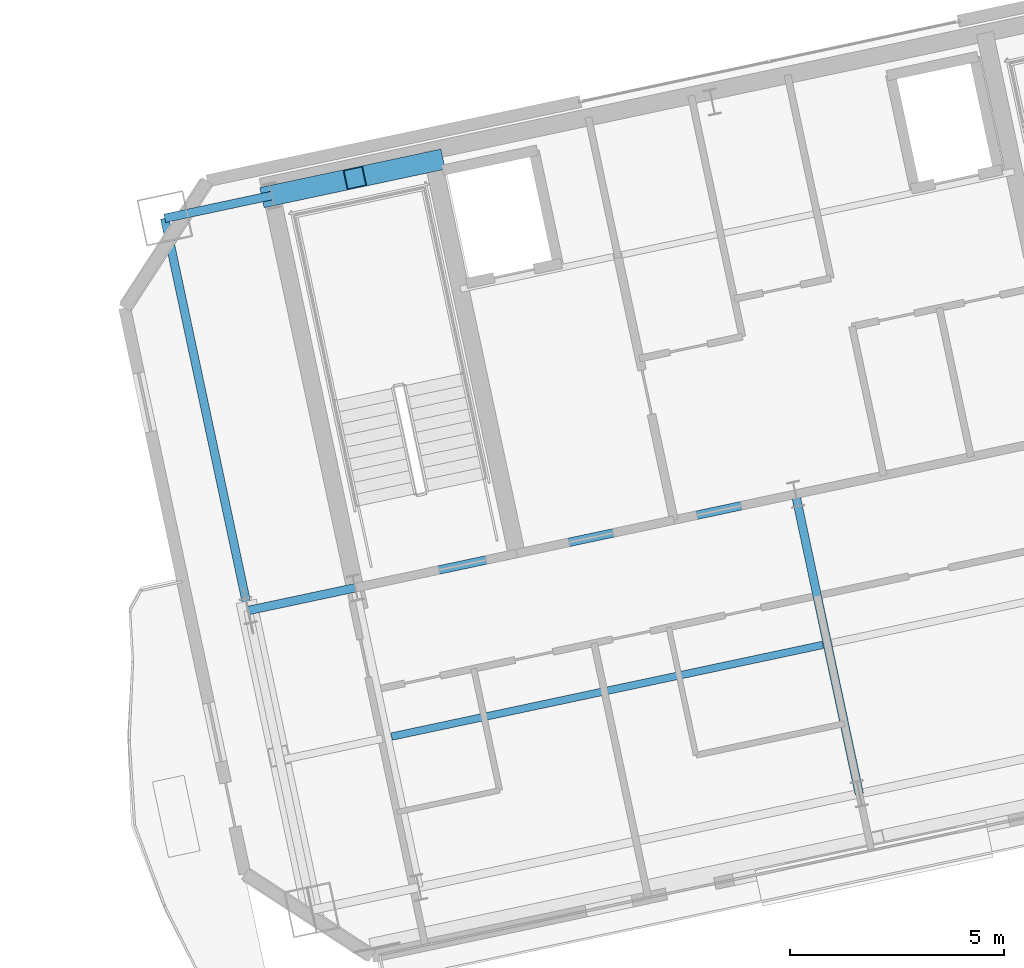
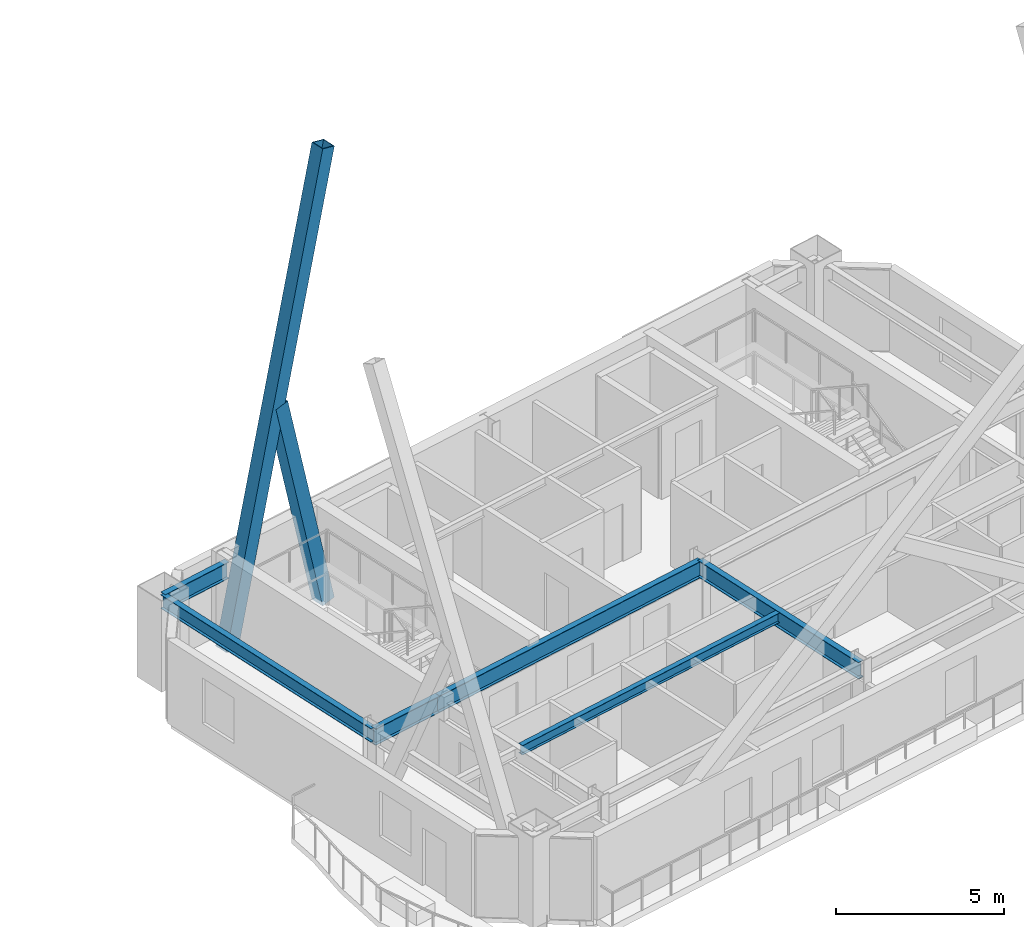
# One storey, part 4 of 19: 6 beams, 2 members.
"""IFC4 building model written with IfcOpenShell, lengths in metres."""

from ifc_helpers import new_model, si_unit, direction, frame, origin, origin_2d, place, context, subcontext, project, spatial, hollow_rectangle, i_section, extrude, material, material_profile, profile_set, type_object, element, save


model = new_model("IFC4")

# Units and contexts
model_context = context("Model", 3, precision=1e-05, world=origin(), true_north=direction((0.0, 1.0)))
body_context = subcontext(model_context, "Body", "Model", "MODEL_VIEW")
ifc_project = project(units=[si_unit("LENGTHUNIT", "METRE"), si_unit("AREAUNIT", "SQUARE_METRE"), si_unit("VOLUMEUNIT", "CUBIC_METRE"), si_unit("PLANEANGLEUNIT", "RADIAN"), si_unit("MASSUNIT", "GRAM", prefix="KILO")], contexts=[model_context])

# Site, building, storey
site_placement = place(None, origin())
site = spatial("IfcSite", under=ifc_project, at=site_placement, CompositionType="ELEMENT")
building_placement = place(site_placement, origin())
building = spatial("IfcBuilding", under=site, at=building_placement, Name="Haevon Station Towers", CompositionType="ELEMENT")
storey_placement = place(building_placement, frame((0.0, 0.0, 218.699951171875)))
storey = spatial("IfcBuildingStorey", under=building, at=storey_placement, Name="L60", CompositionType="ELEMENT", Elevation=218.699951171875)

# Beams
ifc_material_1 = material(Name="Steel S355", Category="steel")
ifc_material_profile_1 = material_profile(ifc_material_1, i_section(OverallWidth=0.199951171875, OverallDepth=0.60009765625, WebThickness=0.010986328125, FlangeThickness=0.01708984375, at=origin_2d()), Name="H-600x200x11x17")
ifc_profile_set_1 = profile_set([ifc_material_profile_1], Name="Steel S355")
beam_type_1 = type_object("IfcBeamType", Name="BM-G600", PredefinedType="BEAM", material=ifc_profile_set_1)
beam_1_placement = place(storey_placement, frame((96.258056640625, 36.912353515625, 2.75), z_axis=(0.978161040728, 0.207848450565, 0.0), x_axis=(-0.207848450565, 0.978161040728, 0.0)))
element("IfcBeam", 1, at=beam_1_placement, inside=storey, type_object=beam_type_1, Name="BM-T2U-L60-02-01", PredefinedType="BEAM", context=body_context, shape_type="SweptSolid", body=[
    extrude(i_section(OverallWidth=0.199951171875, OverallDepth=0.60009765625, WebThickness=0.010986328125, FlangeThickness=0.01708984375, at=origin_2d()), origin(), (0.0, 0.0, 1.0), 2.550048828125),
])
beam_2_placement = place(storey_placement, frame((98.75244140625, 37.4423828125, 2.75), z_axis=(0.978146794194, 0.207915485254, 0.0), x_axis=(-0.207915485254, 0.978146794194, 0.0)))
element("IfcBeam", 2, at=beam_2_placement, inside=storey, type_object=beam_type_1, Name="BM-T2U-L60-02-02", PredefinedType="BEAM", context=body_context, shape_type="SweptSolid", body=[
    extrude(i_section(OverallWidth=0.199951171875, OverallDepth=0.60009765625, WebThickness=0.010986328125, FlangeThickness=0.01708984375, at=origin_2d()), origin(), (0.0, 0.0, 1.0), 10.5),
])
beam_3_placement = place(storey_placement, frame((94.314208984375, 46.057861328125, 2.75), z_axis=(0.978137432142, 0.207959524531, 0.0), x_axis=(-0.207959524531, 0.978137432142, 0.0)))
element("IfcBeam", 3, at=beam_3_placement, inside=storey, type_object=beam_type_1, Name="BM-T2U-L60-03-01", PredefinedType="BEAM", context=body_context, shape_type="SweptSolid", body=[
    extrude(i_section(OverallWidth=0.199951171875, OverallDepth=0.60009765625, WebThickness=0.010986328125, FlangeThickness=0.01708984375, at=origin_2d()), origin(), (0.0, 0.0, 1.0), 2.5498046875),
])
beam_4_placement = place(storey_placement, frame((110.50732421875, 32.6416015625, 2.75), z_axis=(-0.207898833396, 0.978150333575, 0.0), x_axis=(-0.978150333575, -0.207898833396, 0.0)))
element("IfcBeam", 4, at=beam_4_placement, inside=storey, type_object=beam_type_1, Name="BM-T2V-L60-03-01", PredefinedType="BEAM", context=body_context, shape_type="SweptSolid", body=[
    extrude(i_section(OverallWidth=0.199951171875, OverallDepth=0.60009765625, WebThickness=0.010986328125, FlangeThickness=0.01708984375, at=origin_2d()), origin(), (0.0, 0.0, 1.0), 7.139892578125),
])
ifc_material_profile_2 = material_profile(ifc_material_1, i_section(OverallWidth=0.175048828125, OverallDepth=0.35009765625, WebThickness=0.007080078125, FlangeThickness=0.010986328125, at=origin_2d()), Name="H-350x175x7x11")
ifc_profile_set_2 = profile_set([ifc_material_profile_2], Name="Steel S355")
beam_type_2 = type_object("IfcBeamType", Name="BM-J350", PredefinedType="JOIST", material=ifc_profile_set_2)
beam_5_placement = place(storey_placement, frame((99.602294921875, 33.973388671875, 2.875), z_axis=(0.978149313139, 0.20790363442, 0.0), x_axis=(-0.20790363442, 0.978149313139, 0.0)))
element("IfcBeam", 5, at=beam_5_placement, inside=storey, type_object=beam_type_2, Name="BM-T2J-L60-01-02", PredefinedType="JOIST", context=body_context, shape_type="SweptSolid", body=[
    extrude(i_section(OverallWidth=0.175048828125, OverallDepth=0.35009765625, WebThickness=0.007080078125, FlangeThickness=0.010986328125, at=origin_2d()), origin(), (0.0, 0.0, 1.0), 10.27978515625),
])
ifc_material_profile_3 = material_profile(ifc_material_1, i_section(OverallWidth=0.199951171875, OverallDepth=0.5, WebThickness=0.010009765625, FlangeThickness=0.01611328125, at=origin_2d()), Name="H-500x200x10x16")
ifc_profile_set_3 = profile_set([ifc_material_profile_3], Name="Steel S355")
beam_type_3 = type_object("IfcBeamType", Name="BM-SP500", PredefinedType="SPANDREL", material=ifc_profile_set_3)
beam_6_placement = place(storey_placement, frame((96.258056640625, 36.912353515625, 2.800048828125), z_axis=(-0.207902477038, 0.978149559138, 0.0), x_axis=(-0.978149559138, -0.207902477038, 0.0)))
element("IfcBeam", 6, at=beam_6_placement, inside=storey, type_object=beam_type_3, Name="BM-T2V-L60-01-02", PredefinedType="SPANDREL", context=body_context, shape_type="SweptSolid", body=[
    extrude(i_section(OverallWidth=0.199951171875, OverallDepth=0.5, WebThickness=0.010009765625, FlangeThickness=0.01611328125, at=origin_2d()), origin(), (0.0, 0.0, 1.0), 9.349853515625),
])

# Members
ifc_material_2 = material(Name="Steel S460", Category="steel")
ifc_material_profile_4 = material_profile(ifc_material_2, hollow_rectangle(XDim=0.47998046875, YDim=0.47998046875, WallThickness=0.02490234375, at=origin_2d()), Name="RHS-480x480x25")
ifc_profile_set_4 = profile_set([ifc_material_profile_4], Name="Steel S460")
member_type = type_object("IfcMemberType", Name="MB-480", PredefinedType="BRACE", material=ifc_profile_set_4)
member_1_placement = place(storey_placement, frame((96.808349609375, 46.588134765625, -0.119873046875), z_axis=(0.222648374721, 0.047329920305, 0.973749238705), x_axis=(-0.207930804564, 0.978143537786, 0.0)))
element("IfcMember", 7, at=member_1_placement, inside=storey, type_object=member_type, Name="BR-T2MB-T09-N-D1", PredefinedType="BRACE", context=body_context, shape_type="SweptSolid", body=[
    extrude(hollow_rectangle(XDim=0.47998046875, YDim=0.47998046875, WallThickness=0.02490234375, at=origin_2d()), origin(), (0.0, 0.0, 1.0), 16.9140625),
])
member_2_placement = place(storey_placement, frame((100.57421875, 47.388671875, -0.119873046875), z_axis=(-0.222659801898, -0.047340871952, 0.973746093426), x_axis=(0.207966624722, -0.97813592256, 0.0)))
element("IfcMember", 8, at=member_2_placement, inside=storey, type_object=member_type, Name="BR-T2MB-T09-N-D2A", PredefinedType="BRACE", context=body_context, shape_type="SweptSolid", body=[
    extrude(hollow_rectangle(XDim=0.47998046875, YDim=0.47998046875, WallThickness=0.02490234375, at=origin_2d()), origin(), (0.0, 0.0, 1.0), 8.204833984375),
])

save(model, "model.ifc")
